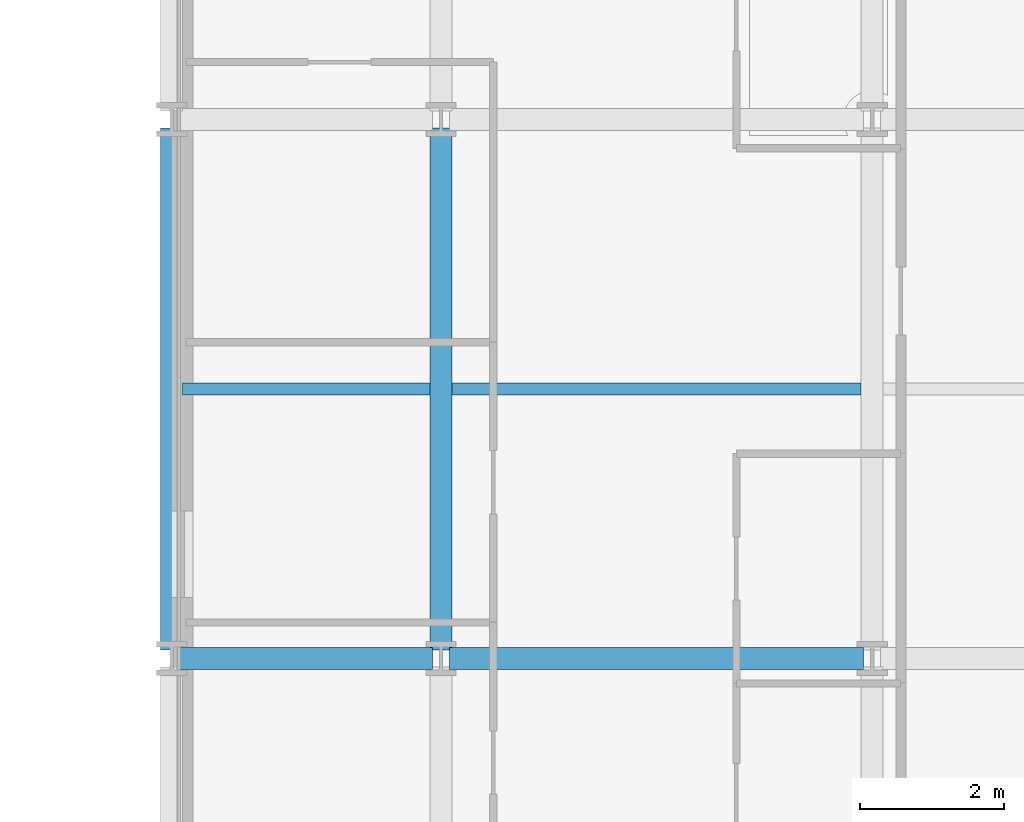
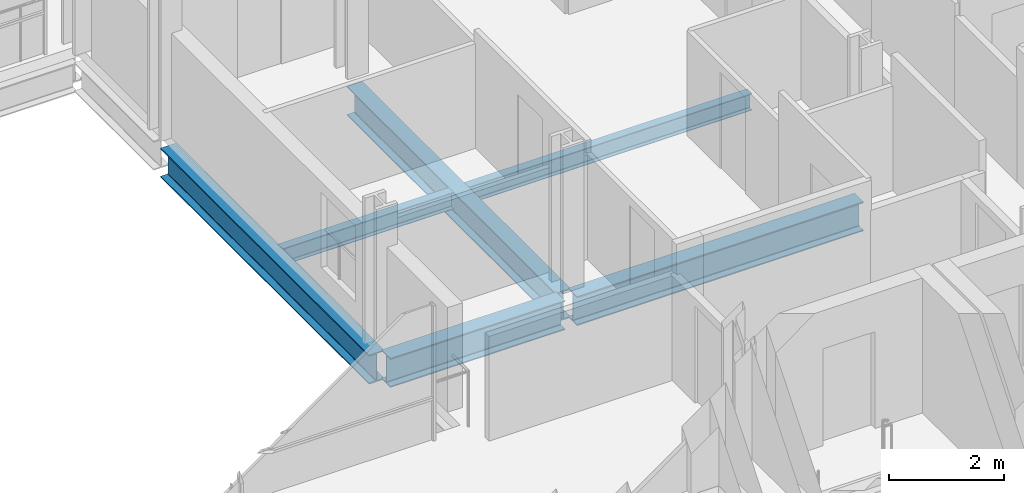
# One storey, part 16 of 41: 6 beams.
"""IFC4 building model written with IfcOpenShell, lengths in metres."""

import ifcopenshell
import ifcopenshell.guid

model = None  # the IFC model being written
_history = None  # IfcOwnerHistory: only IFC2X3 demands one
_inside = {}  # id of a spatial element -> (the spatial element, [elements in it])
_under = {}  # id of a project, library or spatial element -> (it, [spatial elements below it])
_declared = {}  # id of a project -> (the project, [libraries it declares])
_typed = {}  # id of a type object -> (the type object, [elements of that type])
_made_of = {}  # id of a material, layer set ... -> (it, [elements and type objects made of it])


def new_model(schema):
    """Start an empty IFC model of exactly this schema.

    Asked for "IFC4X3", IfcOpenShell would pick the latest addendum, in which some entities
    have other attributes; the version numbers below select the first issue.
    IFC2X3 requires an IfcOwnerHistory on every rooted entity: one is made here for all.
    """
    global model, _history
    if schema == "IFC4X3":
        model = ifcopenshell.file(schema_version=(4, 3, 0, 0))
    else:
        model = ifcopenshell.file(schema=schema)
    _inside.clear()
    _under.clear()
    _declared.clear()
    _typed.clear()
    _made_of.clear()
    _history = None
    if model.schema == "IFC2X3":
        org = make("IfcOrganization", Name="unknown")
        user = make(
            "IfcPersonAndOrganization",
            ThePerson=make("IfcPerson", FamilyName="unknown"),
            TheOrganization=org,
        )
        app = make(
            "IfcApplication",
            ApplicationDeveloper=org,
            Version="unknown",
            ApplicationFullName="unknown",
            ApplicationIdentifier="unknown",
        )
        _history = make(
            "IfcOwnerHistory",
            OwningUser=user,
            OwningApplication=app,
            ChangeAction="ADDED",
            CreationDate=0,
        )
    return model


def make(cls, **values):
    """One entity of the class cls with the attributes given. An attribute that is None is left unset."""
    return model.create_entity(
        cls, **{name: value for name, value in values.items() if value is not None}
    )


def rooted(cls, **values):
    """An entity with a GlobalId (a new one), such as an element, a storey or a relation."""
    return make(cls, GlobalId=ifcopenshell.guid.new(), OwnerHistory=_history, **values)


def si_unit(unit_type, name, prefix=None):
    """IfcSIUnit, for example si_unit("LENGTHUNIT", "METRE", prefix="MILLI")."""
    return make("IfcSIUnit", UnitType=unit_type, Prefix=prefix, Name=name)


def assignment(units):
    """IfcUnitAssignment: the units of a project."""
    return None if units is None else make("IfcUnitAssignment", Units=units)


def point(xyz):
    """IfcCartesianPoint."""
    return None if xyz is None else make("IfcCartesianPoint", Coordinates=xyz)


def direction(xyz):
    """IfcDirection."""
    return None if xyz is None else make("IfcDirection", DirectionRatios=xyz)


def frame(location, z_axis=None, x_axis=None):
    """IfcAxis2Placement3D, a coordinate frame: its origin and axes. An axis left out is left unset."""
    return make(
        "IfcAxis2Placement3D",
        Location=point(location),
        Axis=direction(z_axis),
        RefDirection=direction(x_axis),
    )


def frame_2d(location, x_axis=None):
    """IfcAxis2Placement2D, a coordinate frame in the plane: its origin and x axis."""
    return make(
        "IfcAxis2Placement2D", Location=point(location), RefDirection=direction(x_axis)
    )


def origin():
    """The frame at (0, 0, 0) with its axes left unset."""
    return frame((0.0, 0.0, 0.0))


def origin_2d():
    """The frame at (0, 0) in the plane with its x axis left unset."""
    return frame_2d((0.0, 0.0))


def place(relative_to, where):
    """IfcLocalPlacement: puts the frame where relative to a parent placement (None: the world)."""
    return make(
        "IfcLocalPlacement", PlacementRelTo=relative_to, RelativePlacement=where
    )


def context(
    kind, dimensions, precision=None, world=None, true_north=None, identifier=None
):
    """IfcGeometricRepresentationContext, for example the 3D "Model" context."""
    return make(
        "IfcGeometricRepresentationContext",
        ContextIdentifier=identifier,
        ContextType=kind,
        CoordinateSpaceDimension=dimensions,
        Precision=precision,
        WorldCoordinateSystem=world,
        TrueNorth=true_north,
    )


def subcontext(parent, identifier, kind, view, scale=None):
    """IfcGeometricRepresentationSubContext, for example "Body" below "Model"."""
    return make(
        "IfcGeometricRepresentationSubContext",
        ContextIdentifier=identifier,
        ContextType=kind,
        ParentContext=parent,
        TargetScale=scale,
        TargetView=view,
    )


def project(units=None, contexts=None):
    """IfcProject with its units and contexts."""
    return rooted(
        "IfcProject",
        Name="project",
        RepresentationContexts=contexts,
        UnitsInContext=assignment(units),
    )


def spatial(cls, under=None, at=None, **own):
    """A site, building, storey or space (cls), placed at a placement, below another one or the project."""
    s = rooted(cls, ObjectPlacement=at, **own)
    if under is not None:
        _under.setdefault(under.id(), (under, []))[1].append(s)
    return s


def profile(cls, at=None, kind="AREA", **sizes):
    """A parametric profile (cls). Its sizes go by their IFC names, for example OverallWidth=200.0."""
    return make(cls, ProfileType=kind, Position=at, **sizes)


def i_section(**sizes):
    """IfcIShapeProfileDef."""
    return profile("IfcIShapeProfileDef", **sizes)


def extrude(swept, where, along, depth):
    """IfcExtrudedAreaSolid: the profile swept, set in the frame where, extruded along a direction by depth."""
    return make(
        "IfcExtrudedAreaSolid",
        SweptArea=swept,
        Position=where,
        ExtrudedDirection=direction(along),
        Depth=depth,
    )


def shape(context_of_items, identifier, shape_type, items):
    """IfcShapeRepresentation: the items that make up one representation, for example the "Body"."""
    return make(
        "IfcShapeRepresentation",
        ContextOfItems=context_of_items,
        RepresentationIdentifier=identifier,
        RepresentationType=shape_type,
        Items=items,
    )


def material(Name=None, Category=None):
    """IfcMaterial."""
    return make("IfcMaterial", Name=Name, Category=Category)


def material_profile(
    of_material, cross_section, Name=None, Category=None, Priority=None
):
    """IfcMaterialProfile: a cross section and its material."""
    return make(
        "IfcMaterialProfile",
        Name=Name,
        Material=of_material,
        Profile=cross_section,
        Priority=Priority,
        Category=Category,
    )


def profile_set(profiles, Name=None, composite=None):
    """IfcMaterialProfileSet."""
    return make(
        "IfcMaterialProfileSet",
        Name=Name,
        MaterialProfiles=profiles,
        CompositeProfile=composite,
    )


def made_of(thing, what):
    """Note that an element or type object is made of a material, layer set ...; save() writes the relation."""
    if what is not None:
        _made_of.setdefault(what.id(), (what, []))[1].append(thing)
    return thing


def type_object(cls, material=None, **own):
    """A type object (cls), such as IfcWallType, which elements share."""
    return made_of(rooted(cls, **own), material)


def element(
    cls,
    number,
    at=None,
    inside=None,
    cuts=None,
    type_object=None,
    material=None,
    context=None,
    identifier="Body",
    shape_type=None,
    held_by="IfcProductDefinitionShape",
    body=None,
    shapes=None,
    **own,
):
    """One element of the class cls, such as IfcWall. Its Tag is "e" and its number.

    at: its placement. inside: the storey or other place that contains it. cuts: it is an
    opening in that element (IfcRelVoidsElement). A single representation is given by context,
    identifier, shape_type and body (its items); several are given by shapes. held_by: the class
    of the entity that holds the representations. save() writes the other relations.
    """
    e = rooted(cls, Tag="e%d" % number, ObjectPlacement=at, **own)
    if body is not None:
        shapes = [shape(context, identifier, shape_type, body)]
    if shapes is not None:
        e.Representation = make(held_by, Representations=shapes)
    if inside is not None:
        _inside.setdefault(inside.id(), (inside, []))[1].append(e)
    if cuts is not None:
        rooted(
            "IfcRelVoidsElement", RelatingBuildingElement=cuts, RelatedOpeningElement=e
        )
    if type_object is not None:
        _typed.setdefault(type_object.id(), (type_object, []))[1].append(e)
    return made_of(e, material)


def aggregate(whole, parts):
    """IfcRelAggregates: a whole, such as a stair, and the parts it consists of."""
    return rooted("IfcRelAggregates", RelatingObject=whole, RelatedObjects=parts)


def save(model, path):
    """Write the relations noted so far, then the file.

    IfcRelAggregates (storeys below a building ...), IfcRelContainedInSpatialStructure (elements
    in a storey), IfcRelDefinesByType, IfcRelAssociatesMaterial and IfcRelDeclares: one each for
    every whole, place, type object, material and project.
    """
    for whole, parts in _under.values():
        aggregate(whole, parts)
    for where, things in _inside.values():
        rooted(
            "IfcRelContainedInSpatialStructure",
            RelatedElements=things,
            RelatingStructure=where,
        )
    for kind, things in _typed.values():
        rooted("IfcRelDefinesByType", RelatedObjects=things, RelatingType=kind)
    for what, things in _made_of.values():
        rooted("IfcRelAssociatesMaterial", RelatedObjects=things, RelatingMaterial=what)
    for by, libraries in _declared.values():
        rooted("IfcRelDeclares", RelatingContext=by, RelatedDefinitions=libraries)
    model.write(path)


model = new_model("IFC4")

# Units and contexts
model_context = context("Model", 3, precision=1e-05, world=origin(), true_north=direction((0.0, 1.0)))
body_context = subcontext(model_context, "Body", "Model", "MODEL_VIEW")
ifc_project = project(units=[si_unit("LENGTHUNIT", "METRE"), si_unit("AREAUNIT", "SQUARE_METRE"), si_unit("VOLUMEUNIT", "CUBIC_METRE"), si_unit("PLANEANGLEUNIT", "RADIAN"), si_unit("MASSUNIT", "GRAM", prefix="KILO")], contexts=[model_context])

# Site, building, storey
site_placement = place(None, origin())
site = spatial("IfcSite", under=ifc_project, at=site_placement, CompositionType="ELEMENT")
building_placement = place(site_placement, origin())
building = spatial("IfcBuilding", under=site, at=building_placement, Name="Brevholm Reach", CompositionType="ELEMENT")
storey_placement = place(building_placement, frame((0.0, 0.0, 43.5)))
storey = spatial("IfcBuildingStorey", under=building, at=storey_placement, Name="L11", CompositionType="ELEMENT", Elevation=43.5)

# Beams
ifc_material_1 = material(Name="Structural Steel S355J2", Category="steel")
ifc_material_profile_1 = material_profile(ifc_material_1, i_section(OverallWidth=0.17138671875, OverallDepth=0.35498046875, WebThickness=0.00732421875, FlangeThickness=0.011474609375, FilletRadius=0.01025390625, at=origin_2d()), Name="UKB 356x171x51")
ifc_profile_set_1 = profile_set([ifc_material_profile_1], Name="Structural Steel S355J2")
beam_type_1 = type_object("IfcBeamType", Name="BM-B356", PredefinedType="BEAM", material=ifc_profile_set_1)
beam_1_placement = place(storey_placement, frame((38.403564453125, 19.75, -0.407470703125), z_axis=(1.0, 0.0, 0.0), x_axis=(0.0, 1.0, 0.0)))
element("IfcBeam", 1, at=beam_1_placement, inside=storey, type_object=beam_type_1, Name="L11 Composite Secondary Floor Beam", PredefinedType="BEAM", context=body_context, shape_type="SweptSolid", body=[
    extrude(i_section(OverallWidth=0.17138671875, OverallDepth=0.35498046875, WebThickness=0.00732421875, FlangeThickness=0.011474609375, FilletRadius=0.01025390625, at=origin_2d()), origin(), (0.0, 0.0, 1.0), 3.44287109375),
])
beam_2_placement = place(storey_placement, frame((42.153564453125, 19.75, -0.407470703125), z_axis=(1.0, 0.0, 0.0), x_axis=(0.0, 1.0, 0.0)))
element("IfcBeam", 2, at=beam_2_placement, inside=storey, type_object=beam_type_1, Name="L11 Composite Secondary Floor Beam", PredefinedType="BEAM", context=body_context, shape_type="SweptSolid", body=[
    extrude(i_section(OverallWidth=0.17138671875, OverallDepth=0.35498046875, WebThickness=0.00732421875, FlangeThickness=0.011474609375, FilletRadius=0.01025390625, at=origin_2d()), origin(), (0.0, 0.0, 1.0), 5.69287109375),
])
ifc_material_2 = material(Name="Structural Steel S355J2", Category="steel")
ifc_material_profile_2 = material_profile(ifc_material_2, i_section(OverallWidth=0.30712890625, OverallDepth=0.6201171875, WebThickness=0.01416015625, FlangeThickness=0.023681640625, FilletRadius=0.0166015625, at=origin_2d()), Name="UKB 610x305x179")
ifc_profile_set_2 = profile_set([ifc_material_profile_2], Name="Structural Steel S355J2")
beam_type_2 = type_object("IfcBeamType", Name="BM-UKB610H", PredefinedType="USERDEFINED", material=ifc_profile_set_2)
beam_3_placement = place(storey_placement, frame((38.3701171875, 16.0, -0.5400390625), z_axis=(1.0, 0.0, 0.0), x_axis=(0.0, 1.0, 0.0)))
element("IfcBeam", 3, at=beam_3_placement, inside=storey, type_object=beam_type_2, Name="L11 G-06 Framing Beam", ObjectType="GIRDER", PredefinedType="USERDEFINED", context=body_context, shape_type="SweptSolid", body=[
    extrude(i_section(OverallWidth=0.30712890625, OverallDepth=0.6201171875, WebThickness=0.01416015625, FlangeThickness=0.023681640625, FilletRadius=0.0166015625, at=origin_2d()), origin(), (0.0, 0.0, 1.0), 3.509765625),
])
beam_4_placement = place(storey_placement, frame((42.1201171875, 16.0, -0.5400390625), z_axis=(1.0, 0.0, 0.0), x_axis=(0.0, 1.0, 0.0)))
element("IfcBeam", 4, at=beam_4_placement, inside=storey, type_object=beam_type_2, Name="L11 G-06 Framing Beam", ObjectType="GIRDER", PredefinedType="USERDEFINED", context=body_context, shape_type="SweptSolid", body=[
    extrude(i_section(OverallWidth=0.30712890625, OverallDepth=0.6201171875, WebThickness=0.01416015625, FlangeThickness=0.023681640625, FilletRadius=0.0166015625, at=origin_2d()), origin(), (0.0, 0.0, 1.0), 5.759765625),
])
for number, where, z_axis, x_axis, name in (
    (5, (38.25, 16.1201171875, -0.5400390625), (0.0, 1.0, 0.0), (-1.0, 0.0, 0.0), "L11 G-06 Framing Beam"),
    (6, (42.0, 16.1201171875, -0.5400390625), (0.0, 1.0, 0.0), (-1.0, 0.0, 0.0), "L11 G-06 Framing Beam"),
):
    element("IfcBeam", number, at=place(storey_placement, frame(where, z_axis=z_axis, x_axis=x_axis)), inside=storey, type_object=beam_type_2, Name=name, ObjectType="GIRDER", PredefinedType="USERDEFINED", context=body_context, shape_type="SweptSolid", body=[
        extrude(i_section(OverallWidth=0.30712890625, OverallDepth=0.6201171875, WebThickness=0.01416015625, FlangeThickness=0.023681640625, FilletRadius=0.0166015625, at=origin_2d()), origin(), (0.0, 0.0, 1.0), 7.259765625),
    ])

save(model, "model.ifc")
